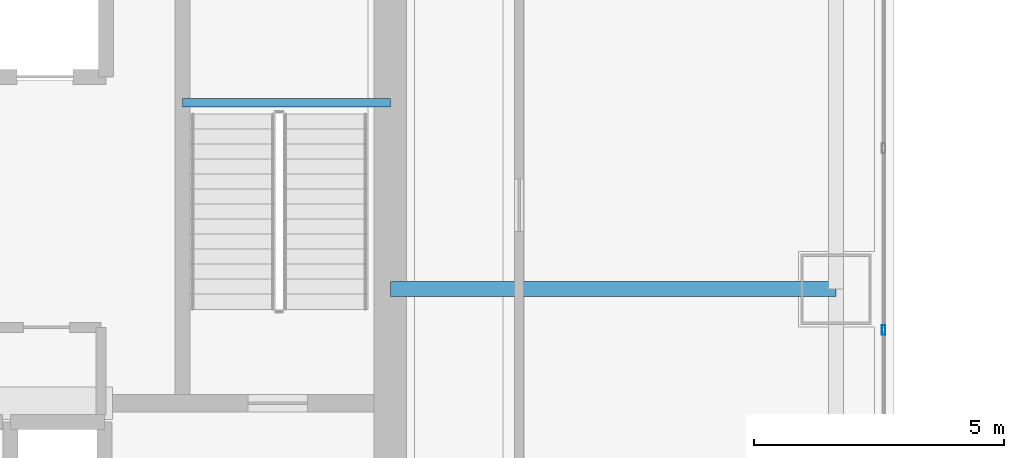
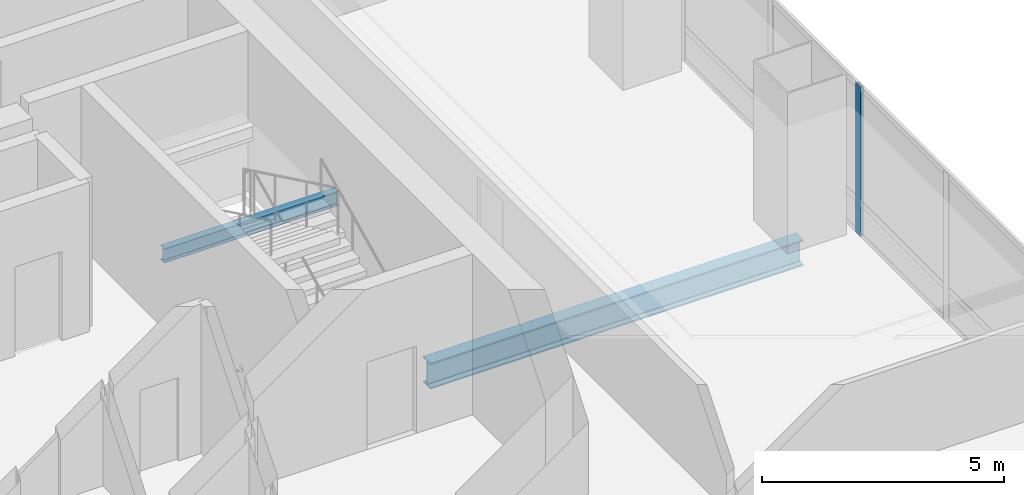
# One storey, part 16 of 46: 2 beams, 1 member, 1 element without a shape of its own.
"""IFC4 building model written with IfcOpenShell, lengths in metres."""

from ifc_helpers import new_model, si_unit, direction, frame, origin, origin_2d, place, context, subcontext, project, spatial, hollow_rectangle, i_section, extrude, material, material_profile, profile_set, type_object, element, aggregate, save


model = new_model("IFC4")

# Units and contexts
model_context = context("Model", 3, precision=1e-05, world=origin(), true_north=direction((0.0, 1.0)))
body_context = subcontext(model_context, "Body", "Model", "MODEL_VIEW")
ifc_project = project(units=[si_unit("LENGTHUNIT", "METRE"), si_unit("AREAUNIT", "SQUARE_METRE"), si_unit("VOLUMEUNIT", "CUBIC_METRE"), si_unit("PLANEANGLEUNIT", "RADIAN"), si_unit("MASSUNIT", "GRAM", prefix="KILO")], contexts=[model_context])

# Site, building, storey
site_placement = place(None, origin())
site = spatial("IfcSite", under=ifc_project, at=site_placement, CompositionType="ELEMENT")
building_placement = place(site_placement, origin())
building = spatial("IfcBuilding", under=site, at=building_placement, Name="Punatoya Terracotta Tower", CompositionType="ELEMENT")
storey_placement = place(building_placement, frame((0.0, 0.0, 200.550048828125)))
storey = spatial("IfcBuildingStorey", under=building, at=storey_placement, Name="L47", CompositionType="ELEMENT", Elevation=200.550048828125)

# Beams
ifc_material_1 = material(Name="Steel S355", Category="steel")
ifc_material_profile_1 = material_profile(ifc_material_1, i_section(OverallWidth=0.300048828125, OverallDepth=0.64990234375, WebThickness=0.01611328125, FlangeThickness=0.031005859375, FilletRadius=0.01806640625, at=origin_2d()))
ifc_profile_set_1 = profile_set([ifc_material_profile_1], Name="Steel S355")
beam_type_1 = type_object("IfcBeamType", Name="BM-PRI-650", PredefinedType="BEAM", material=ifc_profile_set_1)
beam_1_placement = place(storey_placement, frame((10.199951171875, -3.39990234375, -0.545166015625), z_axis=(1.0, 0.0, 0.0), x_axis=(0.0, 1.0, 0.0)))
element("IfcBeam", 1, at=beam_1_placement, inside=storey, type_object=beam_type_1, Name="BM-L47-PR-ED", PredefinedType="BEAM", context=body_context, shape_type="SweptSolid", body=[
    extrude(i_section(OverallWidth=0.300048828125, OverallDepth=0.64990234375, WebThickness=0.01611328125, FlangeThickness=0.031005859375, FilletRadius=0.01806640625, at=origin_2d()), origin(), (0.0, 0.0, 1.0), 8.900146484375),
])
ifc_material_profile_2 = material_profile(ifc_material_1, i_section(OverallWidth=0.169921875, OverallDepth=0.360107421875, WebThickness=0.008056640625, FlangeThickness=0.0126953125, FilletRadius=0.01806640625, at=origin_2d()))
ifc_profile_set_2 = profile_set([ifc_material_profile_2], Name="Steel S355")
beam_type_2 = type_object("IfcBeamType", Name="BM-SEC-360", PredefinedType="JOIST", material=ifc_profile_set_2)
beam_2_placement = place(storey_placement, frame((6.050048828125, 0.320068359375, 1.64501953125), z_axis=(1.0, 0.0, 0.0), x_axis=(0.0, 1.0, 0.0)))
element("IfcBeam", 2, at=beam_2_placement, inside=storey, type_object=beam_type_2, Name="BM-L47-ST-2-LD1A", PredefinedType="JOIST", context=body_context, shape_type="SweptSolid", body=[
    extrude(i_section(OverallWidth=0.169921875, OverallDepth=0.360107421875, WebThickness=0.008056640625, FlangeThickness=0.0126953125, FilletRadius=0.01806640625, at=origin_2d()), origin(), (0.0, 0.0, 1.0), 4.14990234375),
])

# Curtain wall, member
ifc_material_2 = material(Name="Aluminium 6063-T6 + Double Low-E Glass", Category="aluminium")
curtain_wall_type = type_object("IfcCurtainWallType", Name="CW-M2", PredefinedType="NOTDEFINED", material=ifc_material_2)
curtain_wall_placement = place(storey_placement, origin())
curtain_wall = element("IfcCurtainWall", 3, at=curtain_wall_placement, inside=storey, type_object=curtain_wall_type, Name="L47 Curtain Wall CW-L47-E05-1", PredefinedType="NOTDEFINED")
ifc_material_3 = material(Name="Aluminium 6063-T6", Category="aluminium")
ifc_material_profile_3 = material_profile(ifc_material_3, hollow_rectangle(XDim=0.072021484375, YDim=0.195068359375, WallThickness=0.00439453125, at=origin_2d()))
ifc_profile_set_3 = profile_set([ifc_material_profile_3], Name="Aluminium 6063-T6")
member_type = type_object("IfcMemberType", Name="CW-MUL-M2", PredefinedType="MULLION", material=ifc_profile_set_3)
member_placement = place(storey_placement, frame((20.050048828125, -4.21435546875, 0.0), z_axis=(0.0, 0.0, 1.0), x_axis=(1.0, 0.0, 0.0)))
member = element("IfcMember", 4, at=member_placement, type_object=member_type, Name="CW-L47-E05-1 Mullion 03", PredefinedType="MULLION", context=body_context, shape_type="SweptSolid", body=[
    extrude(hollow_rectangle(XDim=0.072021484375, YDim=0.195068359375, WallThickness=0.00439453125, at=origin_2d()), origin(), (0.0, 0.0, 1.0), 3.77001953125),
])
aggregate(curtain_wall, [member])

save(model, "model.ifc")
